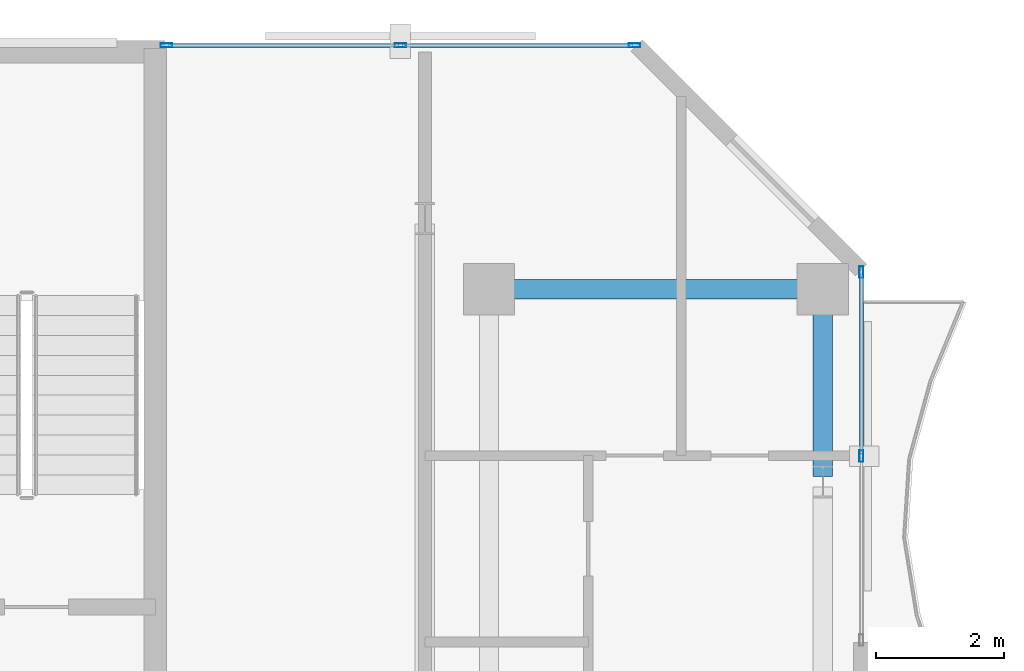
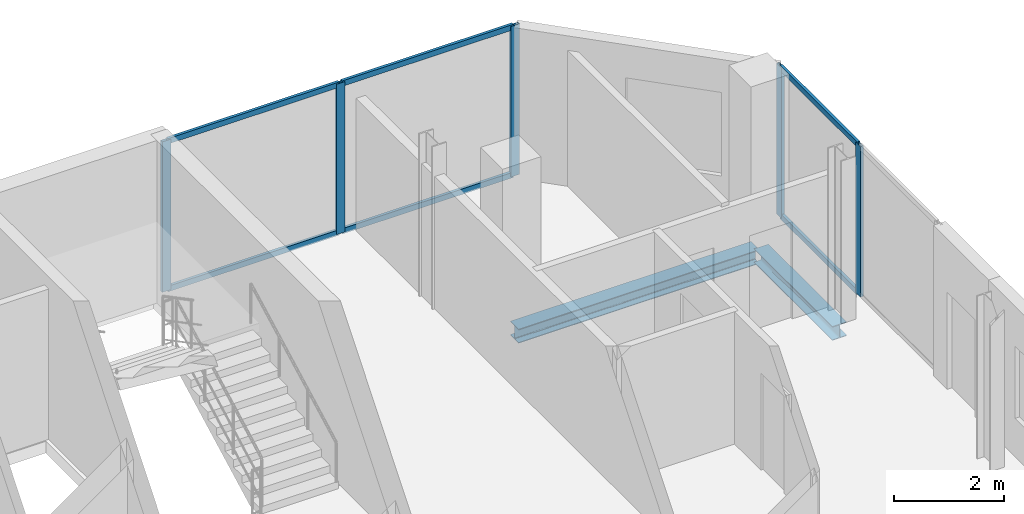
# One storey, part 16 of 24: 11 members, 2 beams, 2 elements without a shape of their own.
"""IFC4 building model written with IfcOpenShell, lengths in metres."""

from ifc_helpers import new_model, si_unit, direction, frame, origin, origin_2d, place, context, subcontext, project, spatial, hollow_rectangle, i_section, extrude, material, layer, layer_set, material_profile, profile_set, type_object, element, aggregate, save


model = new_model("IFC4")

# Units and contexts
model_context = context("Model", 3, precision=1e-05, world=origin(), true_north=direction((0.0, 1.0)))
body_context = subcontext(model_context, "Body", "Model", "MODEL_VIEW")
ifc_project = project(units=[si_unit("LENGTHUNIT", "METRE"), si_unit("AREAUNIT", "SQUARE_METRE"), si_unit("VOLUMEUNIT", "CUBIC_METRE"), si_unit("PLANEANGLEUNIT", "RADIAN"), si_unit("MASSUNIT", "GRAM", prefix="KILO")], contexts=[model_context])

# Site, building, storey
site_placement = place(None, origin())
site = spatial("IfcSite", under=ifc_project, at=site_placement, CompositionType="ELEMENT")
building_placement = place(site_placement, origin())
building = spatial("IfcBuilding", under=site, at=building_placement, Name="Catumbela Crestline Tower", CompositionType="ELEMENT")
storey_placement = place(building_placement, frame((0.0, 0.0, 157.8)))
storey = spatial("IfcBuildingStorey", under=building, at=storey_placement, Name="L40", CompositionType="ELEMENT", Elevation=157.8)

# Curtain wall, members
ifc_material_1 = material(Name="Aluminium alloy AW-6060-T66", Category="aluminium")
ifc_layer = layer(ifc_material_1, 0.18, Name="Aluminium alloy AW-6060-T66")
ifc_layer_set = layer_set([ifc_layer], Name="Aluminium alloy AW-6060-T66")
curtain_wall_type = type_object("IfcCurtainWallType", Name="CWU-Z3", PredefinedType="USERDEFINED", material=ifc_layer_set)
curtain_wall_1_placement = place(storey_placement, origin())
curtain_wall_1 = element("IfcCurtainWall", 1, at=curtain_wall_1_placement, inside=storey, type_object=curtain_wall_type, Name="L40 Unitised Curtain Wall CW-L40-E5S2", ObjectType="UNITISED", PredefinedType="USERDEFINED")
ifc_material_profile_1 = material_profile(ifc_material_1, hollow_rectangle(XDim=0.065, YDim=0.18, WallThickness=0.004, at=origin_2d()), Name="ALU 180x65x4")
ifc_profile_set_1 = profile_set([ifc_material_profile_1], Name="Aluminium alloy AW-6060-T66")
member_type_1 = type_object("IfcMemberType", Name="MUL-180X65", PredefinedType="MULLION", material=ifc_profile_set_1)
member_1_placement = place(storey_placement, frame((51.0, 36.6, 0.0), z_axis=(0.0, 0.0, 1.0), x_axis=(-1.0, 0.0, 0.0)))
member_1 = element("IfcMember", 2, at=member_1_placement, type_object=member_type_1, Name="CWU-Z3 mullion 2", PredefinedType="MULLION", context=body_context, shape_type="SweptSolid", body=[
    extrude(hollow_rectangle(XDim=0.065, YDim=0.18, WallThickness=0.004, at=origin_2d()), origin(), (0.0, 0.0, 1.0), 3.33),
])
member_2_placement = place(storey_placement, frame((51.0, 39.4675, 0.0), z_axis=(0.0, 0.0, 1.0), x_axis=(-1.0, 0.0, 0.0)))
member_2 = element("IfcMember", 3, at=member_2_placement, type_object=member_type_1, Name="CWU-Z3 mullion 3", PredefinedType="MULLION", context=body_context, shape_type="SweptSolid", body=[
    extrude(hollow_rectangle(XDim=0.065, YDim=0.18, WallThickness=0.004, at=origin_2d()), origin(), (0.0, 0.0, 1.0), 3.33),
])

curtain_wall_2_placement = place(storey_placement, origin())
curtain_wall_2 = element("IfcCurtainWall", 4, at=curtain_wall_2_placement, inside=storey, type_object=curtain_wall_type, Name="L40 Unitised Curtain Wall CW-L40-E7S1", ObjectType="UNITISED", PredefinedType="USERDEFINED")
member_3_placement = place(storey_placement, frame((47.4675, 43.0, 0.0), z_axis=(0.0, 0.0, 1.0), x_axis=(0.0, -1.0, 0.0)))
member_3 = element("IfcMember", 5, at=member_3_placement, type_object=member_type_1, Name="CWU-Z3 mullion 1", PredefinedType="MULLION", context=body_context, shape_type="SweptSolid", body=[
    extrude(hollow_rectangle(XDim=0.065, YDim=0.18, WallThickness=0.004, at=origin_2d()), origin(), (0.0, 0.0, 1.0), 3.33),
])
member_4_placement = place(storey_placement, frame((43.82, 43.0, 0.0), z_axis=(0.0, 0.0, 1.0), x_axis=(0.0, -1.0, 0.0)))
member_4 = element("IfcMember", 6, at=member_4_placement, type_object=member_type_1, Name="CWU-Z3 mullion 2", PredefinedType="MULLION", context=body_context, shape_type="SweptSolid", body=[
    extrude(hollow_rectangle(XDim=0.065, YDim=0.18, WallThickness=0.004, at=origin_2d()), origin(), (0.0, 0.0, 1.0), 3.33),
])
member_5_placement = place(storey_placement, frame((40.1725, 43.0, 0.0), z_axis=(0.0, 0.0, 1.0), x_axis=(0.0, -1.0, 0.0)))
member_5 = element("IfcMember", 7, at=member_5_placement, type_object=member_type_1, Name="CWU-Z3 mullion 3", PredefinedType="MULLION", context=body_context, shape_type="SweptSolid", body=[
    extrude(hollow_rectangle(XDim=0.065, YDim=0.18, WallThickness=0.004, at=origin_2d()), origin(), (0.0, 0.0, 1.0), 3.33),
])

# Beams
ifc_material_2 = material(Name="Structural steel S355J2", Category="steel")
ifc_material_profile_2 = material_profile(ifc_material_2, i_section(OverallWidth=0.3, OverallDepth=0.31, WebThickness=0.009, FlangeThickness=0.0155, FilletRadius=0.027, at=origin_2d()), Name="HEA 320")
ifc_profile_set_2 = profile_set([ifc_material_profile_2], Name="Structural steel S355J2")
beam_type = type_object("IfcBeamType", Name="BS-HEA320", PredefinedType="SPANDREL", material=ifc_profile_set_2)
beam_1_placement = place(storey_placement, frame((45.28, 39.2, -0.415), z_axis=(1.0, 0.0, 0.0), x_axis=(0.0, 1.0, 0.0)))
element("IfcBeam", 8, at=beam_1_placement, inside=storey, type_object=beam_type, Name="L40 Spandrel SP-L40-N13", PredefinedType="SPANDREL", context=body_context, shape_type="SweptSolid", body=[
    extrude(i_section(OverallWidth=0.3, OverallDepth=0.31, WebThickness=0.009, FlangeThickness=0.0155, FilletRadius=0.027, at=origin_2d()), origin(), (0.0, 0.0, 1.0), 5.04),
])
beam_2_placement = place(storey_placement, frame((50.4, 36.28, -0.415), z_axis=(0.0, 1.0, 0.0), x_axis=(-1.0, 0.0, 0.0)))
element("IfcBeam", 9, at=beam_2_placement, inside=storey, type_object=beam_type, Name="L40 Spandrel SP-L40-SN25", PredefinedType="SPANDREL", context=body_context, shape_type="SweptSolid", body=[
    extrude(i_section(OverallWidth=0.3, OverallDepth=0.31, WebThickness=0.009, FlangeThickness=0.0155, FilletRadius=0.027, at=origin_2d()), origin(), (0.0, 0.0, 1.0), 2.84),
])

# Member
ifc_material_profile_3 = material_profile(ifc_material_1, hollow_rectangle(XDim=0.06, YDim=0.12, WallThickness=0.0035, at=origin_2d()), Name="ALU 120x60x3.5")
ifc_profile_set_3 = profile_set([ifc_material_profile_3], Name="Aluminium alloy AW-6060-T66")
member_type_2 = type_object("IfcMemberType", Name="TRN-120X60", PredefinedType="USERDEFINED", material=ifc_profile_set_3)
member_6_placement = place(storey_placement, frame((51.0, 36.6325, 0.03), z_axis=(0.0, 1.0, 0.0), x_axis=(-1.0, 0.0, 0.0)))
member_6 = element("IfcMember", 10, at=member_6_placement, type_object=member_type_2, Name="CWU-Z3 transom 2.1", ObjectType="TRANSOM", PredefinedType="USERDEFINED", context=body_context, shape_type="SweptSolid", body=[
    extrude(hollow_rectangle(XDim=0.06, YDim=0.12, WallThickness=0.0035, at=origin_2d()), origin(), (0.0, 0.0, 1.0), 2.8025),
])

member_7_placement = place(storey_placement, frame((51.0, 36.6325, 3.3), z_axis=(0.0, 1.0, 0.0), x_axis=(-1.0, 0.0, 0.0)))
member_7 = element("IfcMember", 11, at=member_7_placement, type_object=member_type_2, Name="CWU-Z3 transom 2.2", ObjectType="TRANSOM", PredefinedType="USERDEFINED", context=body_context, shape_type="SweptSolid", body=[
    extrude(hollow_rectangle(XDim=0.06, YDim=0.12, WallThickness=0.0035, at=origin_2d()), origin(), (0.0, 0.0, 1.0), 2.8025),
])

aggregate(curtain_wall_1, [member_1, member_2, member_6, member_7])

member_8_placement = place(storey_placement, frame((47.435, 43.0, 0.03), z_axis=(-1.0, 0.0, 0.0), x_axis=(0.0, -1.0, 0.0)))
member_8 = element("IfcMember", 12, at=member_8_placement, type_object=member_type_2, Name="CWU-Z3 transom 1.1", ObjectType="TRANSOM", PredefinedType="USERDEFINED", context=body_context, shape_type="SweptSolid", body=[
    extrude(hollow_rectangle(XDim=0.06, YDim=0.12, WallThickness=0.0035, at=origin_2d()), origin(), (0.0, 0.0, 1.0), 3.5825),
])

member_9_placement = place(storey_placement, frame((47.435, 43.0, 3.3), z_axis=(-1.0, 0.0, 0.0), x_axis=(0.0, -1.0, 0.0)))
member_9 = element("IfcMember", 13, at=member_9_placement, type_object=member_type_2, Name="CWU-Z3 transom 1.2", ObjectType="TRANSOM", PredefinedType="USERDEFINED", context=body_context, shape_type="SweptSolid", body=[
    extrude(hollow_rectangle(XDim=0.06, YDim=0.12, WallThickness=0.0035, at=origin_2d()), origin(), (0.0, 0.0, 1.0), 3.5825),
])

member_10_placement = place(storey_placement, frame((43.7875, 43.0, 0.03), z_axis=(-1.0, 0.0, 0.0), x_axis=(0.0, -1.0, 0.0)))
member_10 = element("IfcMember", 14, at=member_10_placement, type_object=member_type_2, Name="CWU-Z3 transom 2.1", ObjectType="TRANSOM", PredefinedType="USERDEFINED", context=body_context, shape_type="SweptSolid", body=[
    extrude(hollow_rectangle(XDim=0.06, YDim=0.12, WallThickness=0.0035, at=origin_2d()), origin(), (0.0, 0.0, 1.0), 3.5825),
])

member_11_placement = place(storey_placement, frame((43.7875, 43.0, 3.3), z_axis=(-1.0, 0.0, 0.0), x_axis=(0.0, -1.0, 0.0)))
member_11 = element("IfcMember", 15, at=member_11_placement, type_object=member_type_2, Name="CWU-Z3 transom 2.2", ObjectType="TRANSOM", PredefinedType="USERDEFINED", context=body_context, shape_type="SweptSolid", body=[
    extrude(hollow_rectangle(XDim=0.06, YDim=0.12, WallThickness=0.0035, at=origin_2d()), origin(), (0.0, 0.0, 1.0), 3.5825),
])

aggregate(curtain_wall_2, [member_3, member_4, member_5, member_8, member_9, member_10, member_11])

save(model, "model.ifc")
